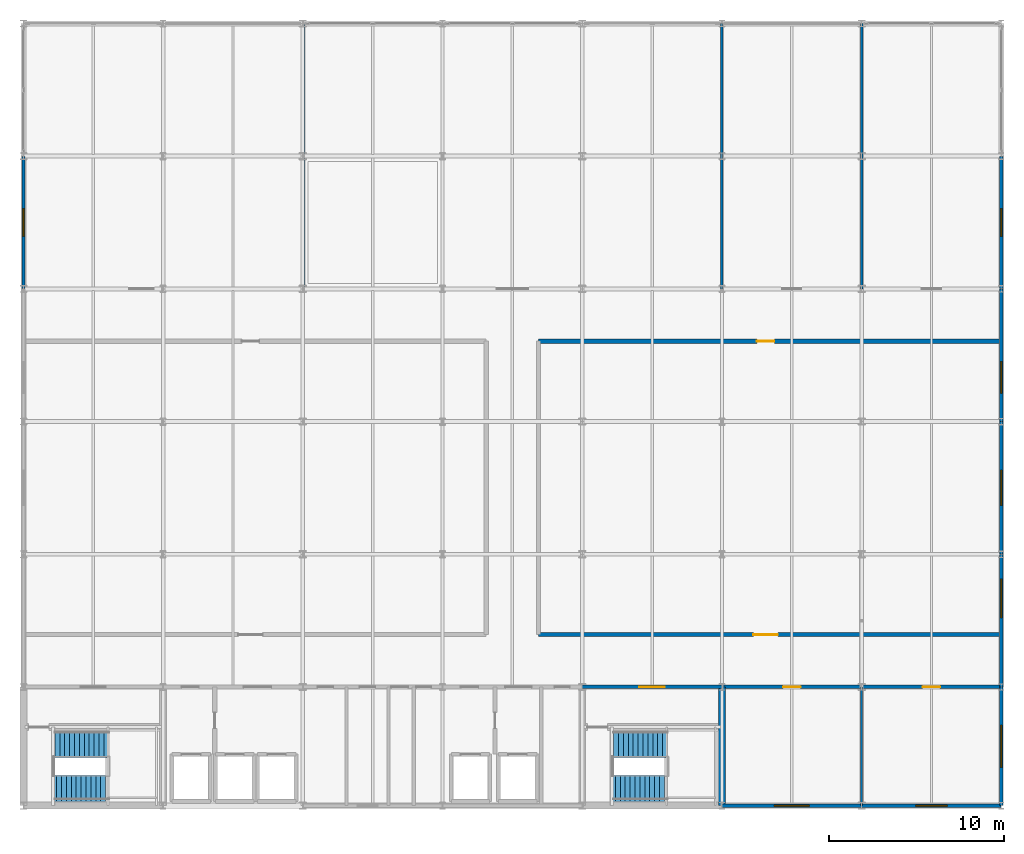
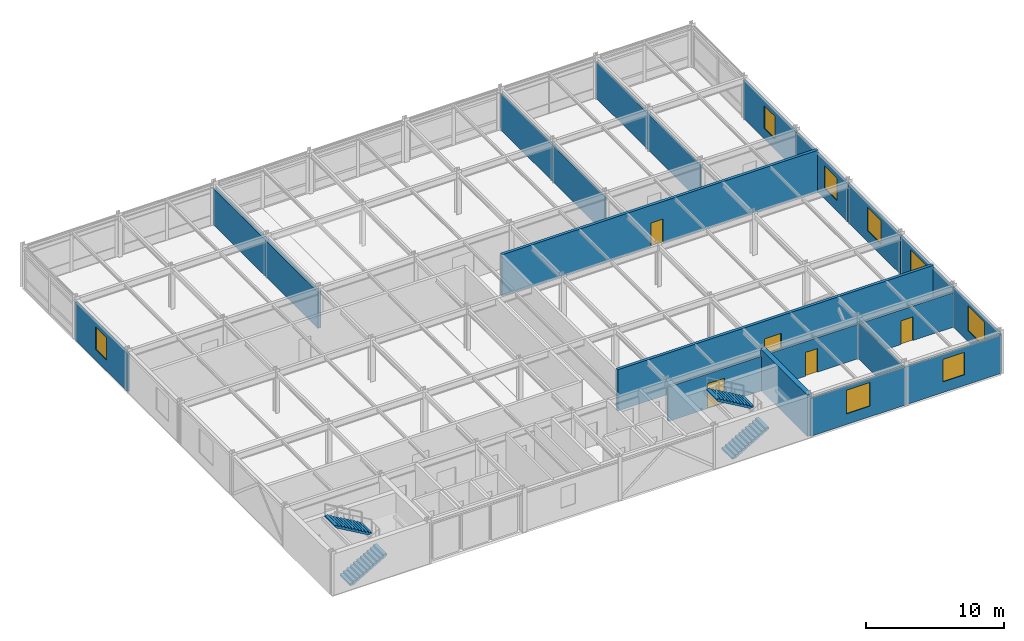
# One storey, part 13 of 14: 17 walls, 8 windows, 5 doors, 4 stair flights, 13 openings, 2 elements without a shape of their own.
"""IFC4 building model written with IfcOpenShell, lengths in metres."""

from ifc_helpers import new_model, si_unit, direction, frame, frame_2d, origin, place, context, subcontext, project, spatial, polyline, rectangle, outline, extrude, material, layer, layer_set, type_object, element, fill, aggregate, save


model = new_model("IFC4")

# Units and contexts
model_context = context("Model", 3, precision=1e-05, world=origin(), true_north=direction((0.0, 1.0)))
body_context = subcontext(model_context, "Body", "Model", "MODEL_VIEW")
ifc_project = project(units=[si_unit("LENGTHUNIT", "METRE"), si_unit("AREAUNIT", "SQUARE_METRE"), si_unit("VOLUMEUNIT", "CUBIC_METRE"), si_unit("PLANEANGLEUNIT", "RADIAN"), si_unit("MASSUNIT", "GRAM", prefix="KILO")], contexts=[model_context])

# Site, building, storey
site_placement = place(None, origin())
site = spatial("IfcSite", under=ifc_project, at=site_placement, CompositionType="ELEMENT")
building_placement = place(site_placement, origin())
building = spatial("IfcBuilding", under=site, at=building_placement, Name="Shalkamar Park Central Library", CompositionType="ELEMENT")
storey_placement = place(building_placement, frame((0.0, 0.0, 28.199951171875)))
storey = spatial("IfcBuildingStorey", under=building, at=storey_placement, Name="L07", CompositionType="ELEMENT", Elevation=28.199951171875)

# Walls
ifc_material_1 = material(Name="Acoustic insulated reading partition", Category="masonry")
ifc_layer_1 = layer(ifc_material_1, 0.139892578125)
ifc_layer_set_1 = layer_set([ifc_layer_1], Name="AcousticPartition_140")
wall_type_1 = type_object("IfcWallType", Name="Acoustic Partition 140", PredefinedType="PARTITIONING", material=ifc_layer_set_1)
for number, where, z_axis, x_axis, name in (
    (1, (205.0, 278.0, 0.0), (0.0, 0.0, 1.0), (0.0, 1.0, 0.0), "Interior Partition WL-INT-L07-020"),
    (2, (213.0, 278.0, 0.0), (0.0, 0.0, 1.0), (0.0, 1.0, 0.0), "Interior Partition WL-INT-L07-021"),
):
    element("IfcWall", number, at=place(storey_placement, frame(where, z_axis=z_axis, x_axis=x_axis)), inside=storey, type_object=wall_type_1, Name=name, PredefinedType="PARTITIONING", context=body_context, shape_type="SweptSolid", body=[
        extrude(rectangle(XDim=15.199951171875, YDim=0.139892578125, at=frame_2d((7.60009765625, 0.0))), origin(), (0.0, 0.0, 1.0), 3.2080078125),
    ])

# Wall, opening, door
ifc_material_2 = material(Name="Reinforced fire-compartment masonry wall", Category="masonry")
ifc_layer_2 = layer(ifc_material_2, 0.239990234375)
ifc_layer_set_2 = layer_set([ifc_layer_2], Name="CompartmentWall_240")
wall_type_2 = type_object("IfcWallType", Name="Compartment Wall 240", PredefinedType="PARTITIONING", material=ifc_layer_set_2)
wall_1_placement = place(storey_placement, frame((194.5, 258.199951171875, 0.0), z_axis=(0.0, 0.0, 1.0), x_axis=(1.0, 0.0, 0.0)))
wall_1 = element("IfcWall", 3, at=wall_1_placement, inside=storey, type_object=wall_type_2, Name="Interior Partition WL-INT-L07-013", PredefinedType="PARTITIONING", context=body_context, shape_type="SweptSolid", body=[
    extrude(rectangle(XDim=26.5, YDim=0.239990234375, at=frame_2d((13.25, 0.0))), origin(), (0.0, 0.0, 1.0), 3.66015625),
])
opening_1_placement = place(wall_1_placement, frame((12.300048828125, 0.0, 0.0)))
opening_1 = element("IfcOpeningElement", 4, at=opening_1_placement, cuts=wall_1, Name="Opening DR-L07-015", PredefinedType="OPENING", context=body_context, shape_type="SweptSolid", body=[
    extrude(rectangle(XDim=1.39990234375, YDim=2.10009765625, at=frame_2d((0.699951171875, 1.050048828125))), frame((0.0, 0.134765625, 0.0), z_axis=(0.0, -1.0, 0.0), x_axis=(1.0, 0.0, 0.0)), (0.0, 0.0, 1.0), 0.269775390625),
])
ifc_material_3 = material(Name="Steel S355", Category="steel")
door_type_1 = type_object("IfcDoorType", Name="Fire Door Double 1400x2100", OperationType="DOUBLE_DOOR_SINGLE_SWING", PredefinedType="DOOR", material=ifc_material_3)
door_1_placement = place(opening_1_placement, origin())
door_1 = element("IfcDoor", 5, at=door_1_placement, inside=storey, type_object=door_type_1, Name="L07 SE Closed Stacks South Door", OperationType="DOUBLE_DOOR_SINGLE_SWING", OverallHeight=2.10009765625, OverallWidth=1.39990234375, PredefinedType="DOOR", context=body_context, shape_type="SweptSolid", body=[
    extrude(rectangle(XDim=1.39990234375, YDim=2.10009765625, at=frame_2d((0.699951171875, 1.050048828125))), frame((0.0, 0.02490234375, 0.0), z_axis=(0.0, -1.0, 0.0), x_axis=(1.0, 0.0, 0.0)), (0.0, 0.0, 1.0), 0.050048828125),
])
fill(opening_1, door_1)

wall_2_placement = place(storey_placement, frame((194.5, 275.0, 0.0), z_axis=(0.0, 0.0, 1.0), x_axis=(1.0, 0.0, 0.0)))
wall_2 = element("IfcWall", 6, at=wall_2_placement, inside=storey, type_object=wall_type_2, Name="Interior Partition WL-INT-L07-017", PredefinedType="PARTITIONING", context=body_context, shape_type="SweptSolid", body=[
    extrude(rectangle(XDim=26.5, YDim=0.239990234375, at=frame_2d((13.25, 0.0))), origin(), (0.0, 0.0, 1.0), 3.66015625),
])
opening_2_placement = place(wall_2_placement, frame((12.5, 0.0, 0.0)))
opening_2 = element("IfcOpeningElement", 7, at=opening_2_placement, cuts=wall_2, Name="Opening DR-L07-017", PredefinedType="OPENING", context=body_context, shape_type="SweptSolid", body=[
    extrude(rectangle(XDim=1.0, YDim=2.10009765625, at=frame_2d((0.5, 1.050048828125))), frame((0.0, 0.134765625, 0.0), z_axis=(0.0, -1.0, 0.0), x_axis=(1.0, 0.0, 0.0)), (0.0, 0.0, 1.0), 0.269775390625),
])
door_type_2 = type_object("IfcDoorType", Name="Fire Door Single 1000x2100", OperationType="NOTDEFINED", PredefinedType="DOOR", material=ifc_material_3)
door_2_placement = place(opening_2_placement, frame((1.0, 0.0, 0.0), z_axis=(0.0, 0.0, 1.0), x_axis=(-1.0, 0.0, 0.0)))
door_2 = element("IfcDoor", 8, at=door_2_placement, inside=storey, type_object=door_type_2, Name="L07 SE Closed Stacks North Door", OperationType="SINGLE_SWING_RIGHT", OverallHeight=2.10009765625, OverallWidth=1.0, PredefinedType="DOOR", context=body_context, shape_type="SweptSolid", body=[
    extrude(rectangle(XDim=1.0, YDim=2.10009765625, at=frame_2d((0.5, 1.050048828125))), frame((0.0, 0.02490234375, 0.0), z_axis=(0.0, -1.0, 0.0), x_axis=(1.0, 0.0, 0.0)), (0.0, 0.0, 1.0), 0.050048828125),
])
fill(opening_2, door_2)

# Wall
wall_3_placement = place(storey_placement, frame((181.0, 278.0, 0.0), z_axis=(0.0, 0.0, 1.0), x_axis=(0.0, 1.0, 0.0)))
element("IfcWall", 9, at=wall_3_placement, inside=storey, type_object=wall_type_2, Name="Interior Partition WL-INT-L07-019", PredefinedType="PARTITIONING", context=body_context, shape_type="SweptSolid", body=[
    extrude(rectangle(XDim=15.199951171875, YDim=0.239990234375, at=frame_2d((7.60009765625, 0.0))), origin(), (0.0, 0.0, 1.0), 3.2080078125),
])

# Wall, opening, door
ifc_material_4 = material(Name="Fire-rated corridor partition wall", Category="masonry")
ifc_layer_3 = layer(ifc_material_4, 0.199951171875)
ifc_layer_set_3 = layer_set([ifc_layer_3], Name="CorridorFireWall_200")
wall_type_3 = type_object("IfcWallType", Name="Corridor Fire Wall 200", PredefinedType="PARTITIONING", material=ifc_layer_set_3)
wall_4_placement = place(storey_placement, frame((197.0, 255.199951171875, 0.0), z_axis=(0.0, 0.0, 1.0), x_axis=(1.0, 0.0, 0.0)))
wall_4 = element("IfcWall", 10, at=wall_4_placement, inside=storey, type_object=wall_type_3, Name="CORE-T2 Vestibule North Wall (L07)", PredefinedType="PARTITIONING", context=body_context, shape_type="SweptSolid", body=[
    extrude(rectangle(XDim=8.0, YDim=0.199951171875, at=frame_2d((4.0, 0.0))), origin(), (0.0, 0.0, 1.0), 3.05810546875),
])
opening_3_placement = place(wall_4_placement, frame((3.27490234375, 0.0, 0.0)))
opening_3 = element("IfcOpeningElement", 11, at=opening_3_placement, cuts=wall_4, Name="Opening DR-ST-T2-L07-VEST", PredefinedType="OPENING", context=body_context, shape_type="SweptSolid", body=[
    extrude(rectangle(XDim=1.449951171875, YDim=2.199951171875, at=frame_2d((0.72509765625, 1.10009765625))), frame((0.0, 0.11474609375, 0.0), z_axis=(0.0, -1.0, 0.0), x_axis=(1.0, 0.0, 0.0)), (0.0, 0.0, 1.0), 0.229736328125),
])
door_type_3 = type_object("IfcDoorType", Name="Stair Vestibule Door 1450x2200", OperationType="DOUBLE_DOOR_SINGLE_SWING", PredefinedType="DOOR", material=ifc_material_3)
door_3_placement = place(opening_3_placement, frame((1.449951171875, 0.0, 0.0), z_axis=(0.0, 0.0, 1.0), x_axis=(-1.0, 0.0, 0.0)))
door_3 = element("IfcDoor", 12, at=door_3_placement, inside=storey, type_object=door_type_3, Name="Protected Stair ST-T2 Vestibule Door (L07)", OperationType="DOUBLE_DOOR_SINGLE_SWING", OverallHeight=2.199951171875, OverallWidth=1.449951171875, PredefinedType="DOOR", context=body_context, shape_type="SweptSolid", body=[
    extrude(rectangle(XDim=1.449951171875, YDim=2.199951171875, at=frame_2d((0.72509765625, 1.10009765625))), frame((0.0, 0.02490234375, 0.0), z_axis=(0.0, -1.0, 0.0), x_axis=(1.0, 0.0, 0.0)), (0.0, 0.0, 1.0), 0.050048828125),
])
fill(opening_3, door_3)

# Wall, openings, doors
wall_5_placement = place(storey_placement, frame((205.0, 255.199951171875, 0.0), z_axis=(0.0, 0.0, 1.0), x_axis=(1.0, 0.0, 0.0)))
wall_5 = element("IfcWall", 13, at=wall_5_placement, inside=storey, type_object=wall_type_3, Name="Interior Partition WL-INT-L07-010", PredefinedType="PARTITIONING", context=body_context, shape_type="SweptSolid", body=[
    extrude(rectangle(XDim=16.0, YDim=0.199951171875, at=frame_2d((8.0, 0.0))), origin(), (0.0, 0.0, 1.0), 3.05810546875),
])
opening_4_placement = place(wall_5_placement, frame((3.5, 0.0, 0.0)))
opening_4 = element("IfcOpeningElement", 14, at=opening_4_placement, cuts=wall_5, Name="Opening DR-L07-012", PredefinedType="OPENING", context=body_context, shape_type="SweptSolid", body=[
    extrude(rectangle(XDim=1.0, YDim=2.10009765625, at=frame_2d((0.5, 1.050048828125))), frame((0.0, 0.11474609375, 0.0), z_axis=(0.0, -1.0, 0.0), x_axis=(1.0, 0.0, 0.0)), (0.0, 0.0, 1.0), 0.229736328125),
])
opening_5_placement = place(wall_5_placement, frame((11.5, 0.0, 0.0)))
opening_5 = element("IfcOpeningElement", 15, at=opening_5_placement, cuts=wall_5, Name="Opening DR-L07-013", PredefinedType="OPENING", context=body_context, shape_type="SweptSolid", body=[
    extrude(rectangle(XDim=1.0, YDim=2.10009765625, at=frame_2d((0.5, 1.050048828125))), frame((0.0, 0.11474609375, 0.0), z_axis=(0.0, -1.0, 0.0), x_axis=(1.0, 0.0, 0.0)), (0.0, 0.0, 1.0), 0.229736328125),
])
door_type_4 = type_object("IfcDoorType", Name="Interior Door Single 1000x2100", OperationType="NOTDEFINED", PredefinedType="DOOR", material=ifc_material_3)
door_4_placement = place(opening_4_placement, frame((1.0, 0.0, 0.0), z_axis=(0.0, 0.0, 1.0), x_axis=(-1.0, 0.0, 0.0)))
door_4 = element("IfcDoor", 16, at=door_4_placement, inside=storey, type_object=door_type_4, Name="L07 Stack Custodian Office Door", OperationType="SINGLE_SWING_RIGHT", OverallHeight=2.10009765625, OverallWidth=1.0, PredefinedType="DOOR", context=body_context, shape_type="SweptSolid", body=[
    extrude(rectangle(XDim=1.0, YDim=2.10009765625, at=frame_2d((0.5, 1.050048828125))), frame((0.0, 0.02490234375, 0.0), z_axis=(0.0, -1.0, 0.0), x_axis=(1.0, 0.0, 0.0)), (0.0, 0.0, 1.0), 0.050048828125),
])
fill(opening_4, door_4)
door_5_placement = place(opening_5_placement, frame((1.0, 0.0, 0.0), z_axis=(0.0, 0.0, 1.0), x_axis=(-1.0, 0.0, 0.0)))
door_5 = element("IfcDoor", 17, at=door_5_placement, inside=storey, type_object=door_type_4, Name="L07 Book Conveyor Dispatch Door", OperationType="SINGLE_SWING_LEFT", OverallHeight=2.10009765625, OverallWidth=1.0, PredefinedType="DOOR", context=body_context, shape_type="SweptSolid", body=[
    extrude(rectangle(XDim=1.0, YDim=2.10009765625, at=frame_2d((0.5, 1.050048828125))), frame((0.0, 0.02490234375, 0.0), z_axis=(0.0, -1.0, 0.0), x_axis=(1.0, 0.0, 0.0)), (0.0, 0.0, 1.0), 0.050048828125),
])
fill(opening_5, door_5)

# Walls
ifc_material_5 = material(Name="Lightweight acoustic stud partition", Category="masonry")
ifc_layer_4 = layer(ifc_material_5, 0.1201171875)
ifc_layer_set_4 = layer_set([ifc_layer_4], Name="StandardPartition_120")
wall_type_4 = type_object("IfcWallType", Name="Standard Partition 120", PredefinedType="PARTITIONING", material=ifc_layer_set_4)
wall_6_placement = place(storey_placement, frame((213.0, 248.39990234375, 0.0), z_axis=(0.0, 0.0, 1.0), x_axis=(0.0, 1.0, 0.0)))
element("IfcWall", 18, at=wall_6_placement, inside=storey, type_object=wall_type_4, Name="Interior Partition WL-INT-L07-011", PredefinedType="PARTITIONING", context=body_context, shape_type="SweptSolid", body=[
    extrude(rectangle(XDim=6.800048828125, YDim=0.1201171875, at=frame_2d((3.39990234375, 0.0))), origin(), (0.0, 0.0, 1.0), 3.2080078125),
])
ifc_material_6 = material(Name="Concrete C40/50", Category="concrete")
ifc_layer_5 = layer(ifc_material_6, 0.39990234375)
ifc_layer_set_5 = layer_set([ifc_layer_5], Name="Concrete C40/50")
wall_type_5 = type_object("IfcWallType", Name="Tower Core Shear Wall 400", PredefinedType="SHEAR", material=ifc_layer_set_5)
wall_7_placement = place(storey_placement, frame((205.0, 248.39990234375, 0.0), z_axis=(0.0, 0.0, 1.0), x_axis=(0.0, 1.0, 0.0)))
element("IfcWall", 19, at=wall_7_placement, inside=storey, type_object=wall_type_5, Name="CORE-T2 East Shear Wall (L07)", PredefinedType="SHEAR", context=body_context, shape_type="SweptSolid", body=[
    extrude(rectangle(XDim=6.800048828125, YDim=0.39990234375, at=frame_2d((3.39990234375, 0.0))), origin(), (0.0, 0.0, 1.0), 3.66015625),
])

# Wall, opening, window
ifc_material_7 = material(Name="Terracotta insulated wall panel", Category="masonry")
ifc_layer_6 = layer(ifc_material_7, 0.179931640625)
ifc_layer_set_6 = layer_set([ifc_layer_6], Name="TowerSpandrelWall_180")
wall_type_6 = type_object("IfcWallType", Name="Tower Spandrel Wall 180", PredefinedType="SOLIDWALL", material=ifc_layer_set_6)
wall_8_placement = place(storey_placement, frame((205.006103515625, 248.39990234375, 0.0), z_axis=(0.0, 0.0, 1.0), x_axis=(1.0, 0.0, 0.0)))
wall_8 = element("IfcWall", 20, at=wall_8_placement, inside=storey, type_object=wall_type_6, Name="Exterior Facade Wall WL-EXT-L07-160", PredefinedType="SOLIDWALL", context=body_context, shape_type="SweptSolid", body=[
    extrude(rectangle(XDim=7.98779296875, YDim=0.179931640625, at=frame_2d((3.993896484375, 0.0))), origin(), (0.0, 0.0, 1.0), 3.34814453125),
])
opening_6_placement = place(wall_8_placement, frame((2.993896484375, 0.0, 0.949951171875)))
opening_6 = element("IfcOpeningElement", 21, at=opening_6_placement, cuts=wall_8, Name="Opening WN-11", PredefinedType="OPENING", context=body_context, shape_type="SweptSolid", body=[
    extrude(rectangle(XDim=2.0, YDim=2.10009765625, at=frame_2d((1.0, 1.050048828125))), frame((0.0, 0.10498046875, 0.0), z_axis=(0.0, -1.0, 0.0), x_axis=(1.0, 0.0, 0.0)), (0.0, 0.0, 1.0), 0.209716796875),
])
ifc_material_8 = material(Name="Thermally broken aluminium and triple low-e glass", Category="glass")
window_type_1 = type_object("IfcWindowType", Name="Tower Window 2000x2100", PartitioningType="DOUBLE_PANEL_VERTICAL", PredefinedType="WINDOW", material=ifc_material_8)
window_1_placement = place(opening_6_placement, origin())
window_1 = element("IfcWindow", 22, at=window_1_placement, inside=storey, type_object=window_type_1, Name="Facade Window WN-L07-110", OverallHeight=2.10009765625, OverallWidth=2.0, PartitioningType="DOUBLE_PANEL_VERTICAL", PredefinedType="WINDOW", context=body_context, shape_type="SweptSolid", body=[
    extrude(rectangle(XDim=2.0, YDim=2.10009765625, at=frame_2d((1.0, 1.050048828125))), frame((0.0, 0.030029296875, 0.0), z_axis=(0.0, -1.0, 0.0), x_axis=(1.0, 0.0, 0.0)), (0.0, 0.0, 1.0), 0.06005859375),
])
fill(opening_6, window_1)

wall_9_placement = place(storey_placement, frame((213.006103515625, 248.39990234375, 0.0), z_axis=(0.0, 0.0, 1.0), x_axis=(1.0, 0.0, 0.0)))
wall_9 = element("IfcWall", 23, at=wall_9_placement, inside=storey, type_object=wall_type_6, Name="Exterior Facade Wall WL-EXT-L07-161", PredefinedType="SOLIDWALL", context=body_context, shape_type="SweptSolid", body=[
    extrude(rectangle(XDim=7.98779296875, YDim=0.179931640625, at=frame_2d((3.993896484375, 0.0))), origin(), (0.0, 0.0, 1.0), 3.34814453125),
])
opening_7_placement = place(wall_9_placement, frame((3.093994140625, 0.0, 0.949951171875)))
opening_7 = element("IfcOpeningElement", 24, at=opening_7_placement, cuts=wall_9, Name="Opening WN-12", PredefinedType="OPENING", context=body_context, shape_type="SweptSolid", body=[
    extrude(rectangle(XDim=1.800048828125, YDim=2.0, at=frame_2d((0.89990234375, 1.0))), frame((0.0, 0.10498046875, 0.0), z_axis=(0.0, -1.0, 0.0), x_axis=(1.0, 0.0, 0.0)), (0.0, 0.0, 1.0), 0.209716796875),
])
window_type_2 = type_object("IfcWindowType", Name="Tower Window 1800x2000", PartitioningType="DOUBLE_PANEL_VERTICAL", PredefinedType="WINDOW", material=ifc_material_8)
window_2_placement = place(opening_7_placement, origin())
window_2 = element("IfcWindow", 25, at=window_2_placement, inside=storey, type_object=window_type_2, Name="Facade Window WN-L07-111", OverallHeight=2.0, OverallWidth=1.800048828125, PartitioningType="DOUBLE_PANEL_VERTICAL", PredefinedType="WINDOW", context=body_context, shape_type="SweptSolid", body=[
    extrude(rectangle(XDim=1.800048828125, YDim=2.0, at=frame_2d((0.89990234375, 1.0))), frame((0.0, 0.030029296875, 0.0), z_axis=(0.0, -1.0, 0.0), x_axis=(1.0, 0.0, 0.0)), (0.0, 0.0, 1.0), 0.06005859375),
])
fill(opening_7, window_2)

wall_10_placement = place(storey_placement, frame((165.0, 278.006103515625, 0.0), z_axis=(0.0, 0.0, 1.0), x_axis=(0.0, 1.0, 0.0)))
wall_10 = element("IfcWall", 26, at=wall_10_placement, inside=storey, type_object=wall_type_6, Name="Exterior Facade Wall WL-EXT-L07-165", PredefinedType="SOLIDWALL", context=body_context, shape_type="SweptSolid", body=[
    extrude(rectangle(XDim=7.587890625, YDim=0.179931640625, at=frame_2d((3.7939453125, 0.0))), origin(), (0.0, 0.0, 1.0), 3.387939453125),
])
opening_8_placement = place(wall_10_placement, frame((2.993896484375, 0.0, 0.949951171875)))
opening_8 = element("IfcOpeningElement", 27, at=opening_8_placement, cuts=wall_10, Name="Opening WN-13", PredefinedType="OPENING", context=body_context, shape_type="SweptSolid", body=[
    extrude(rectangle(XDim=1.60009765625, YDim=2.0, at=frame_2d((0.800048828125, 1.0))), frame((0.0, 0.10498046875, 0.0), z_axis=(0.0, -1.0, 0.0), x_axis=(1.0, 0.0, 0.0)), (0.0, 0.0, 1.0), 0.209716796875),
])
window_type_3 = type_object("IfcWindowType", Name="Tower Window 1600x2000", PartitioningType="SINGLE_PANEL", PredefinedType="WINDOW", material=ifc_material_8)
window_3_placement = place(opening_8_placement, origin())
window_3 = element("IfcWindow", 28, at=window_3_placement, inside=storey, type_object=window_type_3, Name="Facade Window WN-L07-114", OverallHeight=2.0, OverallWidth=1.60009765625, PartitioningType="SINGLE_PANEL", PredefinedType="WINDOW", context=body_context, shape_type="SweptSolid", body=[
    extrude(rectangle(XDim=1.60009765625, YDim=2.0, at=frame_2d((0.800048828125, 1.0))), frame((0.0, 0.030029296875, 0.0), z_axis=(0.0, -1.0, 0.0), x_axis=(1.0, 0.0, 0.0)), (0.0, 0.0, 1.0), 0.06005859375),
])
fill(opening_8, window_3)

wall_11_placement = place(storey_placement, frame((221.0, 248.406005859375, 0.0), z_axis=(0.0, 0.0, 1.0), x_axis=(0.0, 1.0, 0.0)))
wall_11 = element("IfcWall", 29, at=wall_11_placement, inside=storey, type_object=wall_type_6, Name="Exterior Facade Wall WL-EXT-L07-166", PredefinedType="SOLIDWALL", context=body_context, shape_type="SweptSolid", body=[
    extrude(rectangle(XDim=6.7880859375, YDim=0.179931640625, at=frame_2d((3.39404296875, 0.0))), origin(), (0.0, 0.0, 1.0), 3.427978515625),
])
opening_9_placement = place(wall_11_placement, frame((2.194091796875, 0.0, 0.949951171875)))
opening_9 = element("IfcOpeningElement", 30, at=opening_9_placement, cuts=wall_11, Name="Opening WN-09", PredefinedType="OPENING", context=body_context, shape_type="SweptSolid", body=[
    extrude(rectangle(XDim=2.39990234375, YDim=2.199951171875, at=frame_2d((1.199951171875, 1.10009765625))), frame((0.0, 0.10498046875, 0.0), z_axis=(0.0, -1.0, 0.0), x_axis=(1.0, 0.0, 0.0)), (0.0, 0.0, 1.0), 0.209716796875),
])
window_type_4 = type_object("IfcWindowType", Name="Tower Window 2400x2200", PartitioningType="DOUBLE_PANEL_VERTICAL", PredefinedType="WINDOW", material=ifc_material_8)
window_4_placement = place(opening_9_placement, origin())
window_4 = element("IfcWindow", 31, at=window_4_placement, inside=storey, type_object=window_type_4, Name="Facade Window WN-L07-115", OverallHeight=2.199951171875, OverallWidth=2.39990234375, PartitioningType="DOUBLE_PANEL_VERTICAL", PredefinedType="WINDOW", context=body_context, shape_type="SweptSolid", body=[
    extrude(rectangle(XDim=2.39990234375, YDim=2.199951171875, at=frame_2d((1.199951171875, 1.10009765625))), frame((0.0, 0.030029296875, 0.0), z_axis=(0.0, -1.0, 0.0), x_axis=(1.0, 0.0, 0.0)), (0.0, 0.0, 1.0), 0.06005859375),
])
fill(opening_9, window_4)

wall_12_placement = place(storey_placement, frame((221.0, 255.2060546875, 0.0), z_axis=(0.0, 0.0, 1.0), x_axis=(0.0, 1.0, 0.0)))
wall_12 = element("IfcWall", 32, at=wall_12_placement, inside=storey, type_object=wall_type_6, Name="Exterior Facade Wall WL-EXT-L07-167", PredefinedType="SOLIDWALL", context=body_context, shape_type="SweptSolid", body=[
    extrude(rectangle(XDim=7.587890625, YDim=0.179931640625, at=frame_2d((3.7939453125, 0.0))), origin(), (0.0, 0.0, 1.0), 3.387939453125),
])
opening_10_placement = place(wall_12_placement, frame((3.966064453125, 0.0, 0.949951171875)))
opening_10 = element("IfcOpeningElement", 33, at=opening_10_placement, cuts=wall_12, Name="Opening WN-10", PredefinedType="OPENING", context=body_context, shape_type="SweptSolid", body=[
    extrude(rectangle(XDim=2.199951171875, YDim=2.10009765625, at=frame_2d((1.10009765625, 1.050048828125))), frame((0.0, 0.10498046875, 0.0), z_axis=(0.0, -1.0, 0.0), x_axis=(1.0, 0.0, 0.0)), (0.0, 0.0, 1.0), 0.209716796875),
])
window_type_5 = type_object("IfcWindowType", Name="Tower Window 2200x2100", PartitioningType="DOUBLE_PANEL_VERTICAL", PredefinedType="WINDOW", material=ifc_material_8)
window_5_placement = place(opening_10_placement, origin())
window_5 = element("IfcWindow", 34, at=window_5_placement, inside=storey, type_object=window_type_5, Name="Facade Window WN-L07-116", OverallHeight=2.10009765625, OverallWidth=2.199951171875, PartitioningType="DOUBLE_PANEL_VERTICAL", PredefinedType="WINDOW", context=body_context, shape_type="SweptSolid", body=[
    extrude(rectangle(XDim=2.199951171875, YDim=2.10009765625, at=frame_2d((1.10009765625, 1.050048828125))), frame((0.0, 0.030029296875, 0.0), z_axis=(0.0, -1.0, 0.0), x_axis=(1.0, 0.0, 0.0)), (0.0, 0.0, 1.0), 0.06005859375),
])
fill(opening_10, window_5)

wall_13_placement = place(storey_placement, frame((221.0, 262.805908203125, 0.0), z_axis=(0.0, 0.0, 1.0), x_axis=(0.0, 1.0, 0.0)))
wall_13 = element("IfcWall", 35, at=wall_13_placement, inside=storey, type_object=wall_type_6, Name="Exterior Facade Wall WL-EXT-L07-168", PredefinedType="SOLIDWALL", context=body_context, shape_type="SweptSolid", body=[
    extrude(rectangle(XDim=7.588134765625, YDim=0.179931640625, at=frame_2d((3.7939453125, 0.0))), origin(), (0.0, 0.0, 1.0), 3.387939453125),
])
opening_11_placement = place(wall_13_placement, frame((2.7939453125, 0.0, 0.949951171875)))
opening_11 = element("IfcOpeningElement", 36, at=opening_11_placement, cuts=wall_13, Name="Opening WN-11", PredefinedType="OPENING", context=body_context, shape_type="SweptSolid", body=[
    extrude(rectangle(XDim=2.0, YDim=2.10009765625, at=frame_2d((1.0, 1.050048828125))), frame((0.0, 0.10498046875, 0.0), z_axis=(0.0, -1.0, 0.0), x_axis=(1.0, 0.0, 0.0)), (0.0, 0.0, 1.0), 0.209716796875),
])
window_6_placement = place(opening_11_placement, origin())
window_6 = element("IfcWindow", 37, at=window_6_placement, inside=storey, type_object=window_type_1, Name="Facade Window WN-L07-117", OverallHeight=2.10009765625, OverallWidth=2.0, PartitioningType="DOUBLE_PANEL_VERTICAL", PredefinedType="WINDOW", context=body_context, shape_type="SweptSolid", body=[
    extrude(rectangle(XDim=2.0, YDim=2.10009765625, at=frame_2d((1.0, 1.050048828125))), frame((0.0, 0.030029296875, 0.0), z_axis=(0.0, -1.0, 0.0), x_axis=(1.0, 0.0, 0.0)), (0.0, 0.0, 1.0), 0.06005859375),
])
fill(opening_11, window_6)

wall_14_placement = place(storey_placement, frame((221.0, 270.406005859375, 0.0), z_axis=(0.0, 0.0, 1.0), x_axis=(0.0, 1.0, 0.0)))
wall_14 = element("IfcWall", 38, at=wall_14_placement, inside=storey, type_object=wall_type_6, Name="Exterior Facade Wall WL-EXT-L07-169", PredefinedType="SOLIDWALL", context=body_context, shape_type="SweptSolid", body=[
    extrude(rectangle(XDim=7.587890625, YDim=0.179931640625, at=frame_2d((3.7939453125, 0.0))), origin(), (0.0, 0.0, 1.0), 3.387939453125),
])
opening_12_placement = place(wall_14_placement, frame((1.6220703125, 0.0, 0.949951171875)))
opening_12 = element("IfcOpeningElement", 39, at=opening_12_placement, cuts=wall_14, Name="Opening WN-12", PredefinedType="OPENING", context=body_context, shape_type="SweptSolid", body=[
    extrude(rectangle(XDim=1.800048828125, YDim=2.0, at=frame_2d((0.89990234375, 1.0))), frame((0.0, 0.10498046875, 0.0), z_axis=(0.0, -1.0, 0.0), x_axis=(1.0, 0.0, 0.0)), (0.0, 0.0, 1.0), 0.209716796875),
])
window_7_placement = place(opening_12_placement, origin())
window_7 = element("IfcWindow", 40, at=window_7_placement, inside=storey, type_object=window_type_2, Name="Facade Window WN-L07-118", OverallHeight=2.0, OverallWidth=1.800048828125, PartitioningType="DOUBLE_PANEL_VERTICAL", PredefinedType="WINDOW", context=body_context, shape_type="SweptSolid", body=[
    extrude(rectangle(XDim=1.800048828125, YDim=2.0, at=frame_2d((0.89990234375, 1.0))), frame((0.0, 0.030029296875, 0.0), z_axis=(0.0, -1.0, 0.0), x_axis=(1.0, 0.0, 0.0)), (0.0, 0.0, 1.0), 0.06005859375),
])
fill(opening_12, window_7)

wall_15_placement = place(storey_placement, frame((221.0, 278.006103515625, 0.0), z_axis=(0.0, 0.0, 1.0), x_axis=(0.0, 1.0, 0.0)))
wall_15 = element("IfcWall", 41, at=wall_15_placement, inside=storey, type_object=wall_type_6, Name="Exterior Facade Wall WL-EXT-L07-170", PredefinedType="SOLIDWALL", context=body_context, shape_type="SweptSolid", body=[
    extrude(rectangle(XDim=7.587890625, YDim=0.179931640625, at=frame_2d((3.7939453125, 0.0))), origin(), (0.0, 0.0, 1.0), 3.387939453125),
])
opening_13_placement = place(wall_15_placement, frame((2.993896484375, 0.0, 0.949951171875)))
opening_13 = element("IfcOpeningElement", 42, at=opening_13_placement, cuts=wall_15, Name="Opening WN-13", PredefinedType="OPENING", context=body_context, shape_type="SweptSolid", body=[
    extrude(rectangle(XDim=1.60009765625, YDim=2.0, at=frame_2d((0.800048828125, 1.0))), frame((0.0, 0.10498046875, 0.0), z_axis=(0.0, -1.0, 0.0), x_axis=(1.0, 0.0, 0.0)), (0.0, 0.0, 1.0), 0.209716796875),
])
window_8_placement = place(opening_13_placement, origin())
window_8 = element("IfcWindow", 43, at=window_8_placement, inside=storey, type_object=window_type_3, Name="Facade Window WN-L07-119", OverallHeight=2.0, OverallWidth=1.60009765625, PartitioningType="SINGLE_PANEL", PredefinedType="WINDOW", context=body_context, shape_type="SweptSolid", body=[
    extrude(rectangle(XDim=1.60009765625, YDim=2.0, at=frame_2d((0.800048828125, 1.0))), frame((0.0, 0.030029296875, 0.0), z_axis=(0.0, -1.0, 0.0), x_axis=(1.0, 0.0, 0.0)), (0.0, 0.0, 1.0), 0.06005859375),
])
fill(opening_13, window_8)

# Stair, stair flights
ifc_material_9 = material(Name="Concrete C35/45", Category="concrete")
stair_type = type_object("IfcStairType", Name="Protected Dog Leg Stair 150x390", PredefinedType="TWO_STRAIGHT_RUN_STAIR", material=ifc_material_9)
stair_1_placement = place(storey_placement, origin())
stair_1 = element("IfcStair", 44, at=stair_1_placement, inside=storey, type_object=stair_type, Name="Protected Core Stair ST-T1-L07", PredefinedType="TWO_STRAIGHT_RUN_STAIR")
stair_flight_type = type_object("IfcStairFlightType", Name="Straight Stair Flight 150x390", PredefinedType="STRAIGHT", material=ifc_material_9)
stair_flight_1_placement = place(storey_placement, frame((166.6201171875, 249.389892578125, 0.0), z_axis=(0.0, 0.0, 1.0), x_axis=(1.0, 0.0, 0.0)))
stair_flight_1 = element("IfcStairFlight", 45, at=stair_flight_1_placement, type_object=stair_flight_type, Name="ST-T1-L07 flight 1", NumberOfRisers=12, NumberOfTreads=11, PredefinedType="STRAIGHT", RiserHeight=0.1625, TreadLength=0.28, context=body_context, shape_type="SweptSolid", body=[
    extrude(outline(polyline([(0.0, 0.0), (0.0, 0.16259765625), (0.280029296875, 0.16259765625), (0.280029296875, 0.324951171875), (0.56005859375, 0.324951171875), (0.56005859375, 0.487548828125), (0.840087890625, 0.487548828125), (0.840087890625, 0.64990234375), (1.1201171875, 0.64990234375), (1.1201171875, 0.8125), (1.39990234375, 0.8125), (1.39990234375, 0.97509765625), (1.679931640625, 0.97509765625), (1.679931640625, 1.137451171875), (1.9599609375, 1.137451171875), (1.9599609375, 1.300048828125), (2.239990234375, 1.300048828125), (2.239990234375, 1.46240234375), (2.52001953125, 1.46240234375), (2.52001953125, 1.625), (2.800048828125, 1.625), (2.800048828125, 1.78759765625), (3.080078125, 1.78759765625), (3.080078125, 1.949951171875), (3.080078125, 1.6142578125), (0.298583984375, 0.0), (0.0, 0.0)])), frame((0.0, 0.75, 0.0), z_axis=(0.0, -1.0, 0.0), x_axis=(1.0, 0.0, 0.0)), (0.0, 0.0, 1.0), 1.5),
])
stair_flight_2_placement = place(storey_placement, frame((169.8798828125, 251.909912109375, 1.949951171875), z_axis=(0.0, 0.0, 1.0), x_axis=(-1.0, 0.0, 0.0)))
stair_flight_2 = element("IfcStairFlight", 46, at=stair_flight_2_placement, type_object=stair_flight_type, Name="ST-T1-L07 flight 2", NumberOfRisers=12, NumberOfTreads=11, PredefinedType="STRAIGHT", RiserHeight=0.1625, TreadLength=0.28, context=body_context, shape_type="SweptSolid", body=[
    extrude(outline(polyline([(0.0, 0.0), (0.0, 0.16259765625), (0.280029296875, 0.16259765625), (0.280029296875, 0.324951171875), (0.56005859375, 0.324951171875), (0.56005859375, 0.487548828125), (0.840087890625, 0.487548828125), (0.840087890625, 0.64990234375), (1.1201171875, 0.64990234375), (1.1201171875, 0.8125), (1.39990234375, 0.8125), (1.39990234375, 0.97509765625), (1.679931640625, 0.97509765625), (1.679931640625, 1.137451171875), (1.9599609375, 1.137451171875), (1.9599609375, 1.300048828125), (2.239990234375, 1.300048828125), (2.239990234375, 1.46240234375), (2.52001953125, 1.46240234375), (2.52001953125, 1.625), (2.800048828125, 1.625), (2.800048828125, 1.78759765625), (3.080078125, 1.78759765625), (3.080078125, 1.949951171875), (3.080078125, 1.6142578125), (0.298583984375, 0.0), (0.0, 0.0)])), frame((0.0, 0.75, 0.0), z_axis=(0.0, -1.0, 0.0), x_axis=(1.0, 0.0, 0.0)), (0.0, 0.0, 1.0), 1.5),
])
aggregate(stair_1, [stair_flight_1, stair_flight_2])

stair_2_placement = place(storey_placement, origin())
stair_2 = element("IfcStair", 47, at=stair_2_placement, inside=storey, type_object=stair_type, Name="Protected Core Stair ST-T2-L07", PredefinedType="TWO_STRAIGHT_RUN_STAIR")
stair_flight_3_placement = place(storey_placement, frame((198.6201171875, 249.389892578125, 0.0), z_axis=(0.0, 0.0, 1.0), x_axis=(1.0, 0.0, 0.0)))
stair_flight_3 = element("IfcStairFlight", 48, at=stair_flight_3_placement, type_object=stair_flight_type, Name="ST-T2-L07 flight 1", NumberOfRisers=12, NumberOfTreads=11, PredefinedType="STRAIGHT", RiserHeight=0.1625, TreadLength=0.28, context=body_context, shape_type="SweptSolid", body=[
    extrude(outline(polyline([(0.0, 0.0), (0.0, 0.16259765625), (0.280029296875, 0.16259765625), (0.280029296875, 0.324951171875), (0.56005859375, 0.324951171875), (0.56005859375, 0.487548828125), (0.840087890625, 0.487548828125), (0.840087890625, 0.64990234375), (1.1201171875, 0.64990234375), (1.1201171875, 0.8125), (1.39990234375, 0.8125), (1.39990234375, 0.97509765625), (1.679931640625, 0.97509765625), (1.679931640625, 1.137451171875), (1.9599609375, 1.137451171875), (1.9599609375, 1.300048828125), (2.239990234375, 1.300048828125), (2.239990234375, 1.46240234375), (2.52001953125, 1.46240234375), (2.52001953125, 1.625), (2.800048828125, 1.625), (2.800048828125, 1.78759765625), (3.080078125, 1.78759765625), (3.080078125, 1.949951171875), (3.080078125, 1.6142578125), (0.298583984375, 0.0), (0.0, 0.0)])), frame((0.0, 0.75, 0.0), z_axis=(0.0, -1.0, 0.0), x_axis=(1.0, 0.0, 0.0)), (0.0, 0.0, 1.0), 1.5),
])
stair_flight_4_placement = place(storey_placement, frame((201.8798828125, 251.909912109375, 1.949951171875), z_axis=(0.0, 0.0, 1.0), x_axis=(-1.0, 0.0, 0.0)))
stair_flight_4 = element("IfcStairFlight", 49, at=stair_flight_4_placement, type_object=stair_flight_type, Name="ST-T2-L07 flight 2", NumberOfRisers=12, NumberOfTreads=11, PredefinedType="STRAIGHT", RiserHeight=0.1625, TreadLength=0.28, context=body_context, shape_type="SweptSolid", body=[
    extrude(outline(polyline([(0.0, 0.0), (0.0, 0.16259765625), (0.280029296875, 0.16259765625), (0.280029296875, 0.324951171875), (0.56005859375, 0.324951171875), (0.56005859375, 0.487548828125), (0.840087890625, 0.487548828125), (0.840087890625, 0.64990234375), (1.1201171875, 0.64990234375), (1.1201171875, 0.8125), (1.39990234375, 0.8125), (1.39990234375, 0.97509765625), (1.679931640625, 0.97509765625), (1.679931640625, 1.137451171875), (1.9599609375, 1.137451171875), (1.9599609375, 1.300048828125), (2.239990234375, 1.300048828125), (2.239990234375, 1.46240234375), (2.52001953125, 1.46240234375), (2.52001953125, 1.625), (2.800048828125, 1.625), (2.800048828125, 1.78759765625), (3.080078125, 1.78759765625), (3.080078125, 1.949951171875), (3.080078125, 1.6142578125), (0.298583984375, 0.0), (0.0, 0.0)])), frame((0.0, 0.75, 0.0), z_axis=(0.0, -1.0, 0.0), x_axis=(1.0, 0.0, 0.0)), (0.0, 0.0, 1.0), 1.5),
])
aggregate(stair_2, [stair_flight_3, stair_flight_4])

save(model, "model.ifc")
